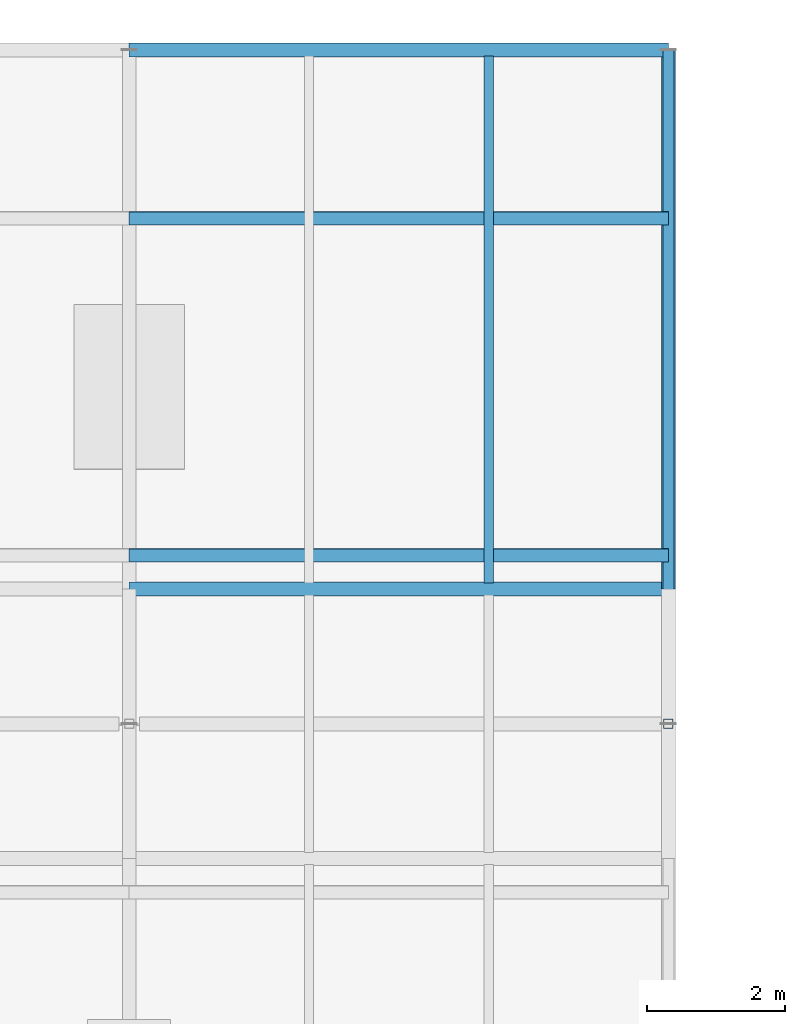
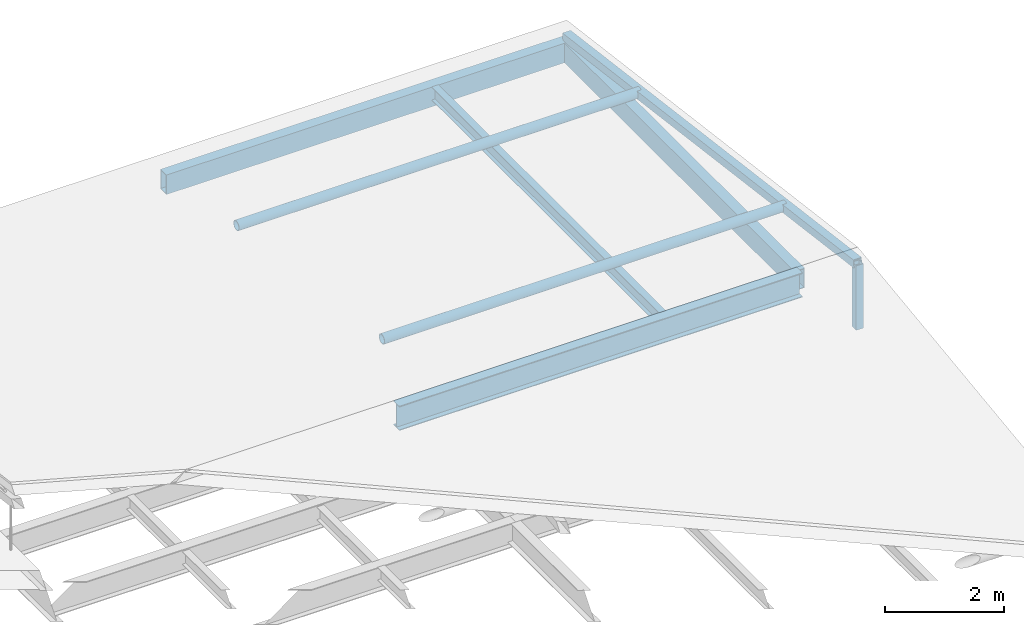
# One storey, part 15 of 45: 4 beams, 4 members.
"""IFC4 building model written with IfcOpenShell, lengths in metres."""

from ifc_helpers import new_model, si_unit, direction, frame, origin, origin_2d, place, context, subcontext, project, spatial, hollow_rectangle, hollow_circle, i_section, extrude, material, material_profile, profile_set, type_object, element, save


model = new_model("IFC4")

# Units and contexts
model_context = context("Model", 3, precision=1e-05, world=origin(), true_north=direction((0.0, 1.0)))
body_context = subcontext(model_context, "Body", "Model", "MODEL_VIEW")
ifc_project = project(units=[si_unit("LENGTHUNIT", "METRE"), si_unit("AREAUNIT", "SQUARE_METRE"), si_unit("VOLUMEUNIT", "CUBIC_METRE"), si_unit("PLANEANGLEUNIT", "RADIAN"), si_unit("MASSUNIT", "GRAM", prefix="KILO")], contexts=[model_context])

# Site, building, storey
site_placement = place(None, origin())
site = spatial("IfcSite", under=ifc_project, at=site_placement, CompositionType="ELEMENT")
building_placement = place(site_placement, origin())
building = spatial("IfcBuilding", under=site, at=building_placement, Name="Celorna Specialist Clinic", CompositionType="ELEMENT")
storey_placement = place(building_placement, frame((0.0, 0.0, 18.60009765625)))
storey = spatial("IfcBuildingStorey", under=building, at=storey_placement, Name="L04", CompositionType="ELEMENT", Elevation=18.60009765625)

# Beams
ifc_material = material(Name="Steel S355", Category="steel")
ifc_material_profile_1 = material_profile(ifc_material, i_section(OverallWidth=0.199951171875, OverallDepth=0.5, WebThickness=0.01025390625, FlangeThickness=0.01611328125, at=origin_2d()), Name="IPE 500")
ifc_profile_set_1 = profile_set([ifc_material_profile_1], Name="Steel S355")
beam_type_1 = type_object("IfcBeamType", Name="BM-08", PredefinedType="BEAM", material=ifc_profile_set_1)
beam_1_placement = place(storey_placement, frame((124.800048828125, 108.199951171875, -0.510009765625), z_axis=(1.0, 0.0, 0.0), x_axis=(0.0, 1.0, 0.0)))
element("IfcBeam", 1, at=beam_1_placement, inside=storey, type_object=beam_type_1, Name="Primary girder BM-08 #2323", PredefinedType="BEAM", context=body_context, shape_type="SweptSolid", body=[
    extrude(i_section(OverallWidth=0.199951171875, OverallDepth=0.5, WebThickness=0.01025390625, FlangeThickness=0.01611328125, at=origin_2d()), origin(), (0.0, 0.0, 1.0), 7.800048828125),
])
ifc_material_profile_2 = material_profile(ifc_material, i_section(OverallWidth=0.135009765625, OverallDepth=0.27001953125, WebThickness=0.006591796875, FlangeThickness=0.01025390625, at=origin_2d()), Name="IPE 270")
ifc_profile_set_2 = profile_set([ifc_material_profile_2], Name="Steel S355")
beam_type_2 = type_object("IfcBeamType", Name="BM-14", PredefinedType="JOIST", material=ifc_profile_set_2)
beam_2_placement = place(storey_placement, frame((130.0, 108.2880859375, -0.39501953125), z_axis=(0.0, 1.0, 0.0), x_axis=(-1.0, 0.0, 0.0)))
element("IfcBeam", 2, at=beam_2_placement, inside=storey, type_object=beam_type_2, Name="Secondary floor joist BM-14 #2373", PredefinedType="JOIST", context=body_context, shape_type="SweptSolid", body=[
    extrude(i_section(OverallWidth=0.135009765625, OverallDepth=0.27001953125, WebThickness=0.006591796875, FlangeThickness=0.01025390625, at=origin_2d()), origin(), (0.0, 0.0, 1.0), 7.6240234375),
])
ifc_material_profile_3 = material_profile(ifc_material, hollow_rectangle(XDim=0.199951171875, YDim=0.39990234375, WallThickness=0.011962890625, at=origin_2d()), Name="RHS 200x400x12")
ifc_profile_set_3 = profile_set([ifc_material_profile_3], Name="Steel S355")
beam_type_3 = type_object("IfcBeamType", Name="BM-15", PredefinedType="SPANDREL", material=ifc_profile_set_3)
for number, where, z_axis, x_axis, name in (
    (3, (124.800048828125, 116.0, -0.460205078125), (1.0, 0.0, 0.0), (0.0, 1.0, 0.0), "Spandrel beam BM-15 #2328"),
    (4, (132.60009765625, 108.199951171875, -0.460205078125), (0.0, 1.0, 0.0), (-1.0, 0.0, 0.0), "Spandrel beam BM-15 #2343"),
):
    element("IfcBeam", number, at=place(storey_placement, frame(where, z_axis=z_axis, x_axis=x_axis)), inside=storey, type_object=beam_type_3, Name=name, PredefinedType="SPANDREL", context=body_context, shape_type="SweptSolid", body=[
        extrude(hollow_rectangle(XDim=0.199951171875, YDim=0.39990234375, WallThickness=0.011962890625, at=origin_2d()), origin(), (0.0, 0.0, 1.0), 7.800048828125),
    ])

# Members
ifc_material_profile_4 = material_profile(ifc_material, hollow_circle(Radius=0.096923828125, WallThickness=0.010009765625, at=origin_2d()), Name="CHS 193.7x10")
ifc_profile_set_4 = profile_set([ifc_material_profile_4], Name="Steel S355")
member_type_1 = type_object("IfcMemberType", Name="MB-04", PredefinedType="PURLIN", material=ifc_profile_set_4)
for number, where, z_axis, x_axis, name in (
    (5, (124.800048828125, 108.6875, 0.760498046875), (1.0, 0.0, 0.0), (0.0, 1.0, 0.0), "Roof purlin WP-384-WP-385"),
    (6, (124.800048828125, 113.5625, 0.12548828125), (1.0, 0.0, 0.0), (0.0, 1.0, 0.0), "Roof purlin WP-387-WP-388"),
):
    element("IfcMember", number, at=place(storey_placement, frame(where, z_axis=z_axis, x_axis=x_axis)), inside=storey, type_object=member_type_1, Name=name, PredefinedType="PURLIN", context=body_context, shape_type="SweptSolid", body=[
        extrude(hollow_circle(Radius=0.096923828125, WallThickness=0.010009765625, at=origin_2d()), origin(), (0.0, 0.0, 1.0), 7.800048828125),
    ])
ifc_material_profile_5 = material_profile(ifc_material, hollow_rectangle(XDim=0.159912109375, YDim=0.159912109375, WallThickness=0.010009765625, at=origin_2d()), Name="SHS 160x160x10")
ifc_profile_set_5 = profile_set([ifc_material_profile_5], Name="Steel S355")
member_type_2 = type_object("IfcMemberType", Name="MB-09", PredefinedType="CHORD", material=ifc_profile_set_5)
member_1_placement = place(storey_placement, frame((132.60009765625, 106.25, 1.06787109375), z_axis=(0.0, 0.991622826619, -0.129167216148), x_axis=(-1.0, 0.0, 0.0)))
element("IfcMember", 7, at=member_1_placement, inside=storey, type_object=member_type_2, Name="Pitched roof rafter chord WP-373-WP-382", PredefinedType="CHORD", context=body_context, shape_type="SweptSolid", body=[
    extrude(hollow_rectangle(XDim=0.159912109375, YDim=0.159912109375, WallThickness=0.010009765625, at=origin_2d()), origin(), (0.0, 0.0, 1.0), 9.832275390625),
])
ifc_material_profile_6 = material_profile(ifc_material, hollow_rectangle(XDim=0.139892578125, YDim=0.139892578125, WallThickness=0.008056640625, at=origin_2d()), Name="SHS 140x140x8")
ifc_profile_set_6 = profile_set([ifc_material_profile_6], Name="Steel S355")
member_type_3 = type_object("IfcMemberType", Name="MB-10", PredefinedType="CHORD", material=ifc_profile_set_6)
member_2_placement = place(storey_placement, frame((132.60009765625, 106.25, -0.25), z_axis=(0.0, 0.0, 1.0), x_axis=(1.0, 0.0, 0.0)))
element("IfcMember", 8, at=member_2_placement, inside=storey, type_object=member_type_3, Name="Roof ridge/eave support post ROOF-V4-MID-S", PredefinedType="CHORD", context=body_context, shape_type="SweptSolid", body=[
    extrude(hollow_rectangle(XDim=0.139892578125, YDim=0.139892578125, WallThickness=0.008056640625, at=origin_2d()), origin(), (0.0, 0.0, 1.0), 1.31787109375),
])

save(model, "model.ifc")
